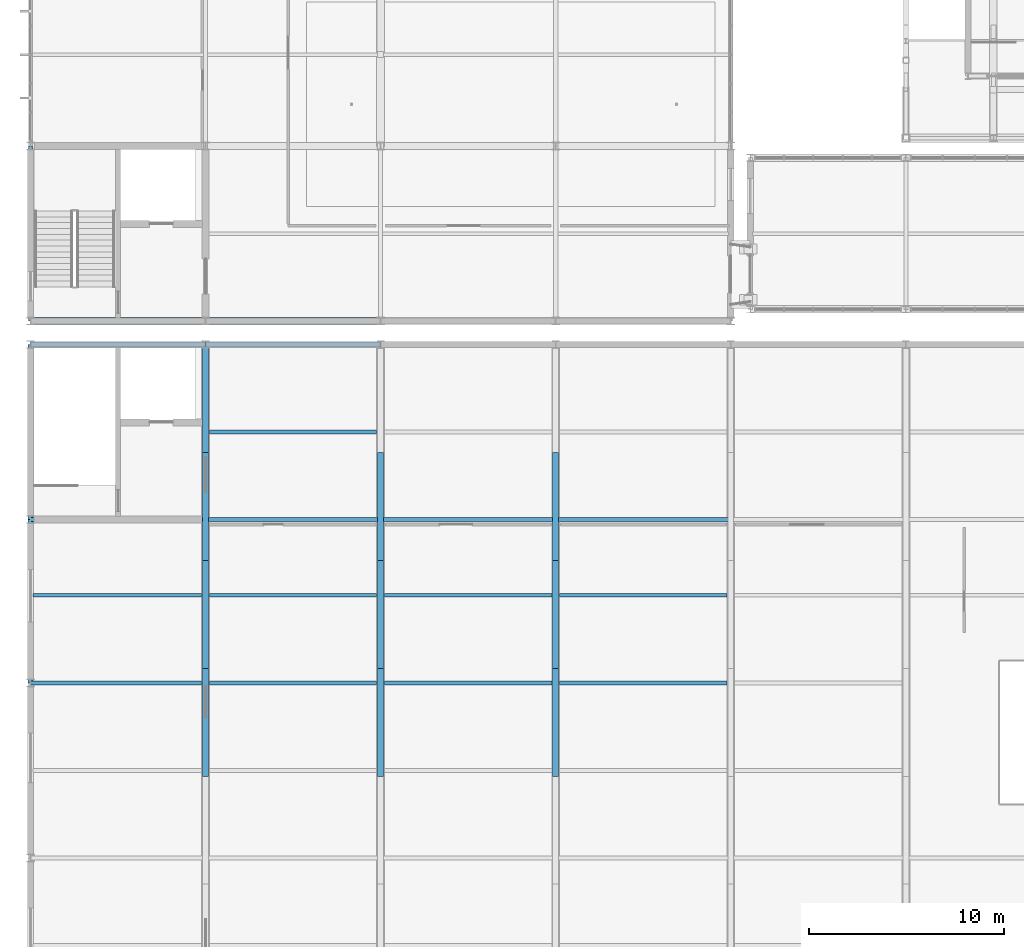
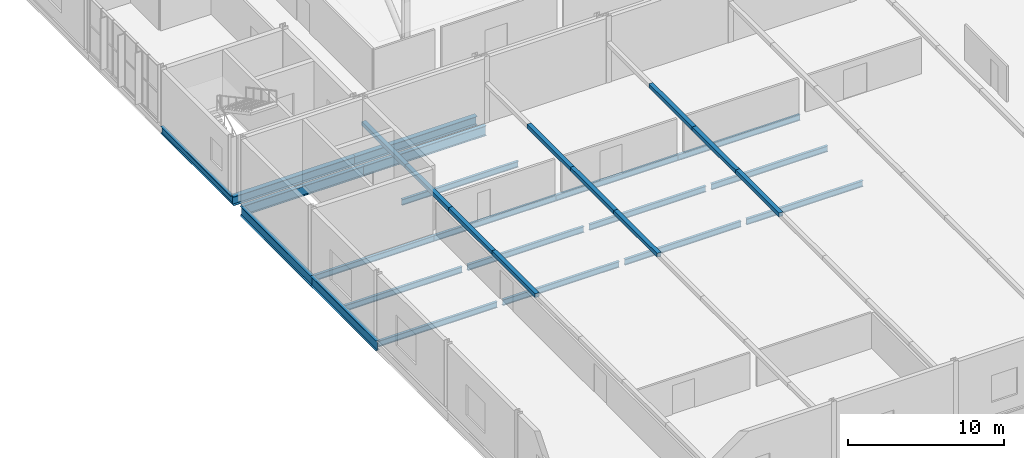
# One storey, part 27 of 134: 20 beams, 10 members.
"""IFC4 building model written with IfcOpenShell, lengths in metres."""

import ifcopenshell
import ifcopenshell.guid

model = None  # the IFC model being written
_history = None  # IfcOwnerHistory: only IFC2X3 demands one
_inside = {}  # id of a spatial element -> (the spatial element, [elements in it])
_under = {}  # id of a project, library or spatial element -> (it, [spatial elements below it])
_declared = {}  # id of a project -> (the project, [libraries it declares])
_typed = {}  # id of a type object -> (the type object, [elements of that type])
_made_of = {}  # id of a material, layer set ... -> (it, [elements and type objects made of it])


def new_model(schema):
    """Start an empty IFC model of exactly this schema.

    Asked for "IFC4X3", IfcOpenShell would pick the latest addendum, in which some entities
    have other attributes; the version numbers below select the first issue.
    IFC2X3 requires an IfcOwnerHistory on every rooted entity: one is made here for all.
    """
    global model, _history
    if schema == "IFC4X3":
        model = ifcopenshell.file(schema_version=(4, 3, 0, 0))
    else:
        model = ifcopenshell.file(schema=schema)
    _inside.clear()
    _under.clear()
    _declared.clear()
    _typed.clear()
    _made_of.clear()
    _history = None
    if model.schema == "IFC2X3":
        org = make("IfcOrganization", Name="unknown")
        user = make(
            "IfcPersonAndOrganization",
            ThePerson=make("IfcPerson", FamilyName="unknown"),
            TheOrganization=org,
        )
        app = make(
            "IfcApplication",
            ApplicationDeveloper=org,
            Version="unknown",
            ApplicationFullName="unknown",
            ApplicationIdentifier="unknown",
        )
        _history = make(
            "IfcOwnerHistory",
            OwningUser=user,
            OwningApplication=app,
            ChangeAction="ADDED",
            CreationDate=0,
        )
    return model


def make(cls, **values):
    """One entity of the class cls with the attributes given. An attribute that is None is left unset."""
    return model.create_entity(
        cls, **{name: value for name, value in values.items() if value is not None}
    )


def rooted(cls, **values):
    """An entity with a GlobalId (a new one), such as an element, a storey or a relation."""
    return make(cls, GlobalId=ifcopenshell.guid.new(), OwnerHistory=_history, **values)


def si_unit(unit_type, name, prefix=None):
    """IfcSIUnit, for example si_unit("LENGTHUNIT", "METRE", prefix="MILLI")."""
    return make("IfcSIUnit", UnitType=unit_type, Prefix=prefix, Name=name)


def assignment(units):
    """IfcUnitAssignment: the units of a project."""
    return None if units is None else make("IfcUnitAssignment", Units=units)


def point(xyz):
    """IfcCartesianPoint."""
    return None if xyz is None else make("IfcCartesianPoint", Coordinates=xyz)


def direction(xyz):
    """IfcDirection."""
    return None if xyz is None else make("IfcDirection", DirectionRatios=xyz)


def frame(location, z_axis=None, x_axis=None):
    """IfcAxis2Placement3D, a coordinate frame: its origin and axes. An axis left out is left unset."""
    return make(
        "IfcAxis2Placement3D",
        Location=point(location),
        Axis=direction(z_axis),
        RefDirection=direction(x_axis),
    )


def frame_2d(location, x_axis=None):
    """IfcAxis2Placement2D, a coordinate frame in the plane: its origin and x axis."""
    return make(
        "IfcAxis2Placement2D", Location=point(location), RefDirection=direction(x_axis)
    )


def origin():
    """The frame at (0, 0, 0) with its axes left unset."""
    return frame((0.0, 0.0, 0.0))


def origin_2d():
    """The frame at (0, 0) in the plane with its x axis left unset."""
    return frame_2d((0.0, 0.0))


def place(relative_to, where):
    """IfcLocalPlacement: puts the frame where relative to a parent placement (None: the world)."""
    return make(
        "IfcLocalPlacement", PlacementRelTo=relative_to, RelativePlacement=where
    )


def context(
    kind, dimensions, precision=None, world=None, true_north=None, identifier=None
):
    """IfcGeometricRepresentationContext, for example the 3D "Model" context."""
    return make(
        "IfcGeometricRepresentationContext",
        ContextIdentifier=identifier,
        ContextType=kind,
        CoordinateSpaceDimension=dimensions,
        Precision=precision,
        WorldCoordinateSystem=world,
        TrueNorth=true_north,
    )


def subcontext(parent, identifier, kind, view, scale=None):
    """IfcGeometricRepresentationSubContext, for example "Body" below "Model"."""
    return make(
        "IfcGeometricRepresentationSubContext",
        ContextIdentifier=identifier,
        ContextType=kind,
        ParentContext=parent,
        TargetScale=scale,
        TargetView=view,
    )


def project(units=None, contexts=None):
    """IfcProject with its units and contexts."""
    return rooted(
        "IfcProject",
        Name="project",
        RepresentationContexts=contexts,
        UnitsInContext=assignment(units),
    )


def spatial(cls, under=None, at=None, **own):
    """A site, building, storey or space (cls), placed at a placement, below another one or the project."""
    s = rooted(cls, ObjectPlacement=at, **own)
    if under is not None:
        _under.setdefault(under.id(), (under, []))[1].append(s)
    return s


def profile(cls, at=None, kind="AREA", **sizes):
    """A parametric profile (cls). Its sizes go by their IFC names, for example OverallWidth=200.0."""
    return make(cls, ProfileType=kind, Position=at, **sizes)


def hollow_rectangle(**sizes):
    """IfcRectangleHollowProfileDef."""
    return profile("IfcRectangleHollowProfileDef", **sizes)


def i_section(**sizes):
    """IfcIShapeProfileDef."""
    return profile("IfcIShapeProfileDef", **sizes)


def extrude(swept, where, along, depth):
    """IfcExtrudedAreaSolid: the profile swept, set in the frame where, extruded along a direction by depth."""
    return make(
        "IfcExtrudedAreaSolid",
        SweptArea=swept,
        Position=where,
        ExtrudedDirection=direction(along),
        Depth=depth,
    )


def shape(context_of_items, identifier, shape_type, items):
    """IfcShapeRepresentation: the items that make up one representation, for example the "Body"."""
    return make(
        "IfcShapeRepresentation",
        ContextOfItems=context_of_items,
        RepresentationIdentifier=identifier,
        RepresentationType=shape_type,
        Items=items,
    )


def material(Name=None, Category=None):
    """IfcMaterial."""
    return make("IfcMaterial", Name=Name, Category=Category)


def material_profile(
    of_material, cross_section, Name=None, Category=None, Priority=None
):
    """IfcMaterialProfile: a cross section and its material."""
    return make(
        "IfcMaterialProfile",
        Name=Name,
        Material=of_material,
        Profile=cross_section,
        Priority=Priority,
        Category=Category,
    )


def profile_set(profiles, Name=None, composite=None):
    """IfcMaterialProfileSet."""
    return make(
        "IfcMaterialProfileSet",
        Name=Name,
        MaterialProfiles=profiles,
        CompositeProfile=composite,
    )


def made_of(thing, what):
    """Note that an element or type object is made of a material, layer set ...; save() writes the relation."""
    if what is not None:
        _made_of.setdefault(what.id(), (what, []))[1].append(thing)
    return thing


def type_object(cls, material=None, **own):
    """A type object (cls), such as IfcWallType, which elements share."""
    return made_of(rooted(cls, **own), material)


def element(
    cls,
    number,
    at=None,
    inside=None,
    cuts=None,
    type_object=None,
    material=None,
    context=None,
    identifier="Body",
    shape_type=None,
    held_by="IfcProductDefinitionShape",
    body=None,
    shapes=None,
    **own,
):
    """One element of the class cls, such as IfcWall. Its Tag is "e" and its number.

    at: its placement. inside: the storey or other place that contains it. cuts: it is an
    opening in that element (IfcRelVoidsElement). A single representation is given by context,
    identifier, shape_type and body (its items); several are given by shapes. held_by: the class
    of the entity that holds the representations. save() writes the other relations.
    """
    e = rooted(cls, Tag="e%d" % number, ObjectPlacement=at, **own)
    if body is not None:
        shapes = [shape(context, identifier, shape_type, body)]
    if shapes is not None:
        e.Representation = make(held_by, Representations=shapes)
    if inside is not None:
        _inside.setdefault(inside.id(), (inside, []))[1].append(e)
    if cuts is not None:
        rooted(
            "IfcRelVoidsElement", RelatingBuildingElement=cuts, RelatedOpeningElement=e
        )
    if type_object is not None:
        _typed.setdefault(type_object.id(), (type_object, []))[1].append(e)
    return made_of(e, material)


def aggregate(whole, parts):
    """IfcRelAggregates: a whole, such as a stair, and the parts it consists of."""
    return rooted("IfcRelAggregates", RelatingObject=whole, RelatedObjects=parts)


def save(model, path):
    """Write the relations noted so far, then the file.

    IfcRelAggregates (storeys below a building ...), IfcRelContainedInSpatialStructure (elements
    in a storey), IfcRelDefinesByType, IfcRelAssociatesMaterial and IfcRelDeclares: one each for
    every whole, place, type object, material and project.
    """
    for whole, parts in _under.values():
        aggregate(whole, parts)
    for where, things in _inside.values():
        rooted(
            "IfcRelContainedInSpatialStructure",
            RelatedElements=things,
            RelatingStructure=where,
        )
    for kind, things in _typed.values():
        rooted("IfcRelDefinesByType", RelatedObjects=things, RelatingType=kind)
    for what, things in _made_of.values():
        rooted("IfcRelAssociatesMaterial", RelatedObjects=things, RelatingMaterial=what)
    for by, libraries in _declared.values():
        rooted("IfcRelDeclares", RelatingContext=by, RelatedDefinitions=libraries)
    model.write(path)


model = new_model("IFC4")

# Units and contexts
model_context = context("Model", 3, precision=1e-05, world=origin(), true_north=direction((0.0, 1.0)))
body_context = subcontext(model_context, "Body", "Model", "MODEL_VIEW")
ifc_project = project(units=[si_unit("LENGTHUNIT", "METRE"), si_unit("AREAUNIT", "SQUARE_METRE"), si_unit("VOLUMEUNIT", "CUBIC_METRE"), si_unit("PLANEANGLEUNIT", "RADIAN"), si_unit("MASSUNIT", "GRAM", prefix="KILO")], contexts=[model_context])

# Site, building, storey
site_placement = place(None, origin())
site = spatial("IfcSite", under=ifc_project, at=site_placement, CompositionType="ELEMENT")
building_placement = place(site_placement, origin())
building = spatial("IfcBuilding", under=site, at=building_placement, Name="Cazmaro Siding Exhibition Halls", CompositionType="ELEMENT")
storey_placement = place(building_placement, frame((0.0, 0.0, 12.0)))
storey = spatial("IfcBuildingStorey", under=building, at=storey_placement, Name="L02", CompositionType="ELEMENT", Elevation=12.0)

# Beams
ifc_material_1 = material(Name="Steel ASTM A992 Grade 50", Category="steel")
ifc_material_profile_1 = material_profile(ifc_material_1, i_section(OverallWidth=0.214111328125, OverallDepth=0.549072265625, WebThickness=0.014892578125, FlangeThickness=0.02392578125, at=origin_2d()), Name="W21X93")
ifc_profile_set_1 = profile_set([ifc_material_profile_1], Name="Steel ASTM A992 Grade 50")
beam_type_1 = type_object("IfcBeamType", Name="B-01", PredefinedType="BEAM", material=ifc_profile_set_1)
beam_1_placement = place(storey_placement, frame((0.0, 54.60009765625, -0.4951171875), z_axis=(0.0, 1.0, 0.0), x_axis=(-1.0, 0.0, 0.0)))
element("IfcBeam", 1, at=beam_1_placement, inside=storey, type_object=beam_type_1, Name="Beam B-01 BM-2116", PredefinedType="BEAM", context=body_context, shape_type="SweptSolid", body=[
    extrude(i_section(OverallWidth=0.214111328125, OverallDepth=0.549072265625, WebThickness=0.014892578125, FlangeThickness=0.02392578125, at=origin_2d()), origin(), (0.0, 0.0, 1.0), 9.0),
])
ifc_material_2 = material(Name="Steel ASTM A992 Grade 50", Category="steel")
ifc_material_profile_2 = material_profile(ifc_material_2, i_section(OverallWidth=0.26708984375, OverallDepth=0.779052734375, WebThickness=0.01708984375, FlangeThickness=0.02490234375, at=origin_2d()), Name="W30X148")
ifc_profile_set_2 = profile_set([ifc_material_profile_2], Name="Steel ASTM A992 Grade 50")
beam_type_2 = type_object("IfcBeamType", Name="B-05", PredefinedType="BEAM", material=ifc_profile_set_2)
for number, where, z_axis, x_axis, name in (
    (2, (18.0, 53.39990234375, -0.638916015625), (-1.0, 0.0, 0.0), (0.0, -1.0, 0.0), "Beam B-05 BM-1758"),
    (3, (9.0, 53.39990234375, -0.638916015625), (-1.0, 0.0, 0.0), (0.0, -1.0, 0.0), "Beam B-05 BM-1760"),
    (4, (0.0, 53.39990234375, -0.638916015625), (0.0, -1.0, 0.0), (1.0, 0.0, 0.0), "Beam B-05 BM-1762"),
):
    element("IfcBeam", number, at=place(storey_placement, frame(where, z_axis=z_axis, x_axis=x_axis)), inside=storey, type_object=beam_type_2, Name=name, PredefinedType="BEAM", context=body_context, shape_type="SweptSolid", body=[
        extrude(i_section(OverallWidth=0.26708984375, OverallDepth=0.779052734375, WebThickness=0.01708984375, FlangeThickness=0.02490234375, at=origin_2d()), origin(), (0.0, 0.0, 1.0), 9.0),
    ])
beam_2_placement = place(storey_placement, frame((0.0, 44.39990234375, -0.638916015625), z_axis=(0.0, -1.0, 0.0), x_axis=(1.0, 0.0, 0.0)))
element("IfcBeam", 5, at=beam_2_placement, inside=storey, type_object=beam_type_2, Name="Beam B-05 BM-1764", PredefinedType="BEAM", context=body_context, shape_type="SweptSolid", body=[
    extrude(i_section(OverallWidth=0.26708984375, OverallDepth=0.779052734375, WebThickness=0.01708984375, FlangeThickness=0.02490234375, at=origin_2d()), origin(), (0.0, 0.0, 1.0), 8.39990234375),
])
ifc_material_3 = material(Name="Steel ASTM A992 Grade 50", Category="steel")
ifc_material_profile_3 = material_profile(ifc_material_3, i_section(OverallWidth=0.35595703125, OverallDepth=0.696044921875, WebThickness=0.014892578125, FlangeThickness=0.02490234375, at=origin_2d()), Name="W27X146")
ifc_profile_set_3 = profile_set([ifc_material_profile_3], Name="Steel ASTM A992 Grade 50")
beam_type_3 = type_object("IfcBeamType", Name="G-05", PredefinedType="USERDEFINED", material=ifc_profile_set_3)
for number, where, z_axis, x_axis, name in (
    (6, (0.0, 54.60009765625, -0.568115234375), (1.0, 0.0, 0.0), (0.0, 1.0, 0.0), "Beam G-05 BM-2050"),
    (7, (9.0, 54.60009765625, -0.568115234375), (1.0, 0.0, 0.0), (0.0, 1.0, 0.0), "Beam G-05 BM-2065"),
):
    element("IfcBeam", number, at=place(storey_placement, frame(where, z_axis=z_axis, x_axis=x_axis)), inside=storey, type_object=beam_type_3, Name=name, ObjectType="GIRDER", PredefinedType="USERDEFINED", context=body_context, shape_type="SweptSolid", body=[
        extrude(i_section(OverallWidth=0.35595703125, OverallDepth=0.696044921875, WebThickness=0.014892578125, FlangeThickness=0.02490234375, at=origin_2d()), origin(), (0.0, 0.0, 1.0), 9.0),
    ])
ifc_material_4 = material(Name="Steel ASTM A992 Grade 50", Category="steel")
ifc_material_profile_4 = material_profile(ifc_material_4, i_section(OverallWidth=0.19091796875, OverallDepth=0.45703125, WebThickness=0.009033203125, FlangeThickness=0.013916015625, at=origin_2d()), Name="W18X50")
ifc_profile_set_4 = profile_set([ifc_material_profile_4], Name="Steel ASTM A992 Grade 50")
beam_type_4 = type_object("IfcBeamType", Name="J-01", PredefinedType="JOIST", material=ifc_profile_set_4)
beam_3_placement = place(storey_placement, frame((0.0, 36.0, -0.47900390625), z_axis=(1.0, 0.0, 0.0), x_axis=(0.0, 1.0, 0.0)))
element("IfcBeam", 8, at=beam_3_placement, inside=storey, type_object=beam_type_4, Name="Beam J-01 BM-1851", PredefinedType="JOIST", context=body_context, shape_type="SweptSolid", body=[
    extrude(i_section(OverallWidth=0.19091796875, OverallDepth=0.45703125, WebThickness=0.009033203125, FlangeThickness=0.013916015625, at=origin_2d()), origin(), (0.0, 0.0, 1.0), 8.798095703125),
])
for number, where, z_axis, x_axis, name in (
    (9, (9.201904296875, 36.0, -0.47900390625), (1.0, 0.0, 0.0), (0.0, 1.0, 0.0), "Beam J-01 BM-1852"),
    (10, (18.201904296875, 36.0, -0.47900390625), (1.0, 0.0, 0.0), (0.0, 1.0, 0.0), "Beam J-01 BM-1853"),
    (11, (27.201904296875, 36.0, -0.47900390625), (1.0, 0.0, 0.0), (0.0, 1.0, 0.0), "Beam J-01 BM-1854"),
):
    element("IfcBeam", number, at=place(storey_placement, frame(where, z_axis=z_axis, x_axis=x_axis)), inside=storey, type_object=beam_type_4, Name=name, PredefinedType="JOIST", context=body_context, shape_type="SweptSolid", body=[
        extrude(i_section(OverallWidth=0.19091796875, OverallDepth=0.45703125, WebThickness=0.009033203125, FlangeThickness=0.013916015625, at=origin_2d()), origin(), (0.0, 0.0, 1.0), 8.59619140625),
    ])
beam_4_placement = place(storey_placement, frame((0.134033203125, 40.5, -0.47900390625), z_axis=(1.0, 0.0, 0.0), x_axis=(0.0, 1.0, 0.0)))
element("IfcBeam", 12, at=beam_4_placement, inside=storey, type_object=beam_type_4, Name="Beam J-01 BM-1857", PredefinedType="JOIST", context=body_context, shape_type="SweptSolid", body=[
    extrude(i_section(OverallWidth=0.19091796875, OverallDepth=0.45703125, WebThickness=0.009033203125, FlangeThickness=0.013916015625, at=origin_2d()), origin(), (0.0, 0.0, 1.0), 8.6640625),
])
for number, where, z_axis, x_axis, name in (
    (13, (9.201904296875, 40.5, -0.47900390625), (1.0, 0.0, 0.0), (0.0, 1.0, 0.0), "Beam J-01 BM-1858"),
    (14, (18.201904296875, 40.5, -0.47900390625), (1.0, 0.0, 0.0), (0.0, 1.0, 0.0), "Beam J-01 BM-1859"),
    (15, (27.201904296875, 40.5, -0.47900390625), (1.0, 0.0, 0.0), (0.0, 1.0, 0.0), "Beam J-01 BM-1860"),
):
    element("IfcBeam", number, at=place(storey_placement, frame(where, z_axis=z_axis, x_axis=x_axis)), inside=storey, type_object=beam_type_4, Name=name, PredefinedType="JOIST", context=body_context, shape_type="SweptSolid", body=[
        extrude(i_section(OverallWidth=0.19091796875, OverallDepth=0.45703125, WebThickness=0.009033203125, FlangeThickness=0.013916015625, at=origin_2d()), origin(), (0.0, 0.0, 1.0), 8.59619140625),
    ])
for number, where, z_axis, x_axis, name in (
    (16, (0.0, 44.39990234375, -0.47900390625), (1.0, 0.0, 0.0), (0.0, 1.0, 0.0), "Beam J-01 BM-1864"),
    (17, (9.0, 44.39990234375, -0.47900390625), (1.0, 0.0, 0.0), (0.0, 1.0, 0.0), "Beam J-01 BM-1865"),
    (18, (18.0, 44.39990234375, -0.47900390625), (1.0, 0.0, 0.0), (0.0, 1.0, 0.0), "Beam J-01 BM-1866"),
    (19, (27.0, 44.39990234375, -0.47900390625), (1.0, 0.0, 0.0), (0.0, 1.0, 0.0), "Beam J-01 BM-1867"),
):
    element("IfcBeam", number, at=place(storey_placement, frame(where, z_axis=z_axis, x_axis=x_axis)), inside=storey, type_object=beam_type_4, Name=name, PredefinedType="JOIST", context=body_context, shape_type="SweptSolid", body=[
        extrude(i_section(OverallWidth=0.19091796875, OverallDepth=0.45703125, WebThickness=0.009033203125, FlangeThickness=0.013916015625, at=origin_2d()), origin(), (0.0, 0.0, 1.0), 9.0),
    ])
beam_5_placement = place(storey_placement, frame((9.201904296875, 48.89990234375, -0.47900390625), z_axis=(1.0, 0.0, 0.0), x_axis=(0.0, 1.0, 0.0)))
element("IfcBeam", 20, at=beam_5_placement, inside=storey, type_object=beam_type_4, Name="Beam J-01 BM-1871", PredefinedType="JOIST", context=body_context, shape_type="SweptSolid", body=[
    extrude(i_section(OverallWidth=0.19091796875, OverallDepth=0.45703125, WebThickness=0.009033203125, FlangeThickness=0.013916015625, at=origin_2d()), origin(), (0.0, 0.0, 1.0), 8.59619140625),
])

# Members
ifc_material_5 = material(Name="Steel ASTM A500 Grade C", Category="steel")
ifc_material_profile_5 = material_profile(ifc_material_5, hollow_rectangle(XDim=0.304931640625, YDim=0.304931640625, WallThickness=0.014892578125, at=origin_2d()), Name="HSS12X12X5/8")
ifc_profile_set_5 = profile_set([ifc_material_profile_5], Name="Steel ASTM A500 Grade C")
member_type = type_object("IfcMemberType", Name="TC-02", PredefinedType="CHORD", material=ifc_profile_set_5)
for number, where, z_axis, x_axis, name in (
    (21, (9.0, 31.199951171875, 3.050048828125), (0.0, 1.0, 0.0), (-1.0, 0.0, 0.0), "Congress folded roof bottom chord TC-02 MEM-3257"),
    (22, (9.0, 36.75, 3.050048828125), (0.0, 1.0, 0.0), (-1.0, 0.0, 0.0), "Congress folded roof bottom chord TC-02 MEM-3260"),
    (23, (9.0, 42.300048828125, 3.050048828125), (0.0, 1.0, 0.0), (-1.0, 0.0, 0.0), "Congress folded roof bottom chord TC-02 MEM-3263"),
):
    element("IfcMember", number, at=place(storey_placement, frame(where, z_axis=z_axis, x_axis=x_axis)), inside=storey, type_object=member_type, Name=name, PredefinedType="CHORD", context=body_context, shape_type="SweptSolid", body=[
        extrude(hollow_rectangle(XDim=0.304931640625, YDim=0.304931640625, WallThickness=0.014892578125, at=origin_2d()), origin(), (0.0, 0.0, 1.0), 5.550048828125),
    ])
member_placement = place(storey_placement, frame((9.0, 47.85009765625, 3.050048828125), z_axis=(0.0, 1.0, 0.0), x_axis=(-1.0, 0.0, 0.0)))
element("IfcMember", 24, at=member_placement, inside=storey, type_object=member_type, Name="Congress folded roof bottom chord TC-02 MEM-3266", PredefinedType="CHORD", context=body_context, shape_type="SweptSolid", body=[
    extrude(hollow_rectangle(XDim=0.304931640625, YDim=0.304931640625, WallThickness=0.014892578125, at=origin_2d()), origin(), (0.0, 0.0, 1.0), 5.5498046875),
])
for number, where, z_axis, x_axis, name in (
    (25, (18.0, 31.199951171875, 3.050048828125), (0.0, 1.0, 0.0), (-1.0, 0.0, 0.0), "Congress folded roof bottom chord TC-02 MEM-3288"),
    (26, (18.0, 36.75, 3.050048828125), (0.0, 1.0, 0.0), (-1.0, 0.0, 0.0), "Congress folded roof bottom chord TC-02 MEM-3291"),
    (27, (18.0, 42.300048828125, 3.050048828125), (0.0, 1.0, 0.0), (-1.0, 0.0, 0.0), "Congress folded roof bottom chord TC-02 MEM-3294"),
    (28, (27.0, 31.199951171875, 3.050048828125), (0.0, 1.0, 0.0), (-1.0, 0.0, 0.0), "Congress folded roof bottom chord TC-02 MEM-3319"),
    (29, (27.0, 36.75, 3.050048828125), (0.0, 1.0, 0.0), (-1.0, 0.0, 0.0), "Congress folded roof bottom chord TC-02 MEM-3322"),
    (30, (27.0, 42.300048828125, 3.050048828125), (0.0, 1.0, 0.0), (-1.0, 0.0, 0.0), "Congress folded roof bottom chord TC-02 MEM-3325"),
):
    element("IfcMember", number, at=place(storey_placement, frame(where, z_axis=z_axis, x_axis=x_axis)), inside=storey, type_object=member_type, Name=name, PredefinedType="CHORD", context=body_context, shape_type="SweptSolid", body=[
        extrude(hollow_rectangle(XDim=0.304931640625, YDim=0.304931640625, WallThickness=0.014892578125, at=origin_2d()), origin(), (0.0, 0.0, 1.0), 5.550048828125),
    ])

save(model, "model.ifc")
